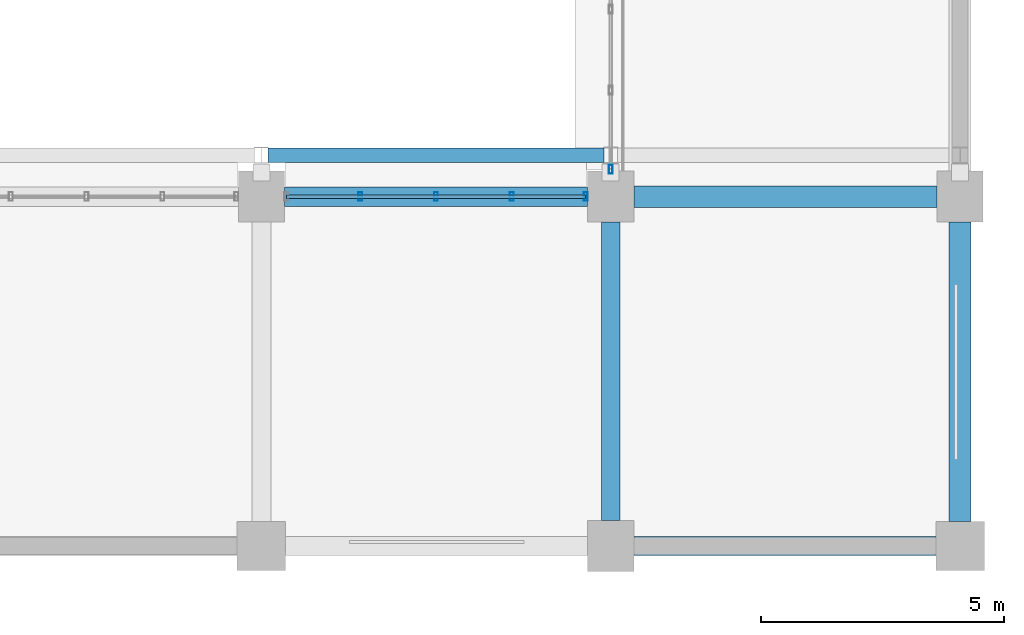
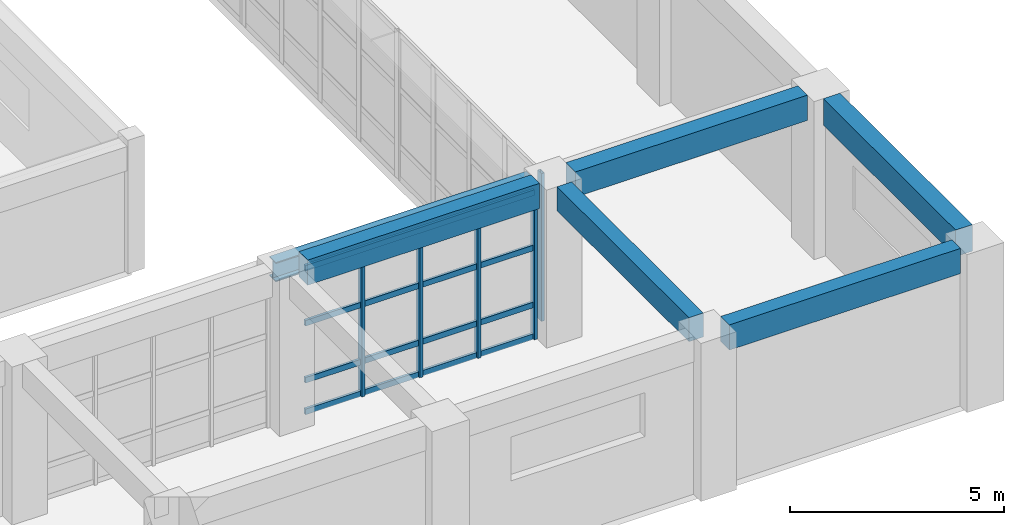
# One storey, part 91 of 171: 9 members, 6 beams, 2 elements without a shape of their own.
"""IFC4 building model written with IfcOpenShell, lengths in metres."""

from ifc_helpers import new_model, si_unit, direction, frame, origin, origin_2d, place, context, subcontext, project, spatial, rectangle, hollow_rectangle, i_section, extrude, material, material_profile, profile_set, type_object, element, aggregate, save


model = new_model("IFC4")

# Units and contexts
model_context = context("Model", 3, precision=1e-05, world=origin(), true_north=direction((0.0, 1.0)))
body_context = subcontext(model_context, "Body", "Model", "MODEL_VIEW")
ifc_project = project(units=[si_unit("LENGTHUNIT", "METRE"), si_unit("AREAUNIT", "SQUARE_METRE"), si_unit("VOLUMEUNIT", "CUBIC_METRE"), si_unit("PLANEANGLEUNIT", "RADIAN"), si_unit("MASSUNIT", "GRAM", prefix="KILO")], contexts=[model_context])

# Site, building, storey
site_placement = place(None, origin())
site = spatial("IfcSite", under=ifc_project, at=site_placement, CompositionType="ELEMENT")
building_placement = place(site_placement, origin())
building = spatial("IfcBuilding", under=site, at=building_placement, Name="Thalmaran Polytechnic", CompositionType="ELEMENT")
storey_placement = place(building_placement, frame((0.0, 0.0, 5.39990234375)))
storey = spatial("IfcBuildingStorey", under=building, at=storey_placement, Name="L01", CompositionType="ELEMENT", Elevation=5.39990234375)

# Beams
ifc_material_1 = material(Name="Steel S355", Category="steel")
ifc_material_profile_1 = material_profile(ifc_material_1, i_section(OverallWidth=0.300048828125, OverallDepth=0.550048828125, WebThickness=0.014892578125, FlangeThickness=0.029052734375, at=origin_2d()), Name="HEB 550")
ifc_profile_set_1 = profile_set([ifc_material_profile_1], Name="Steel S355")
beam_type_1 = type_object("IfcBeamType", Name="BM-CRN1", PredefinedType="BEAM", material=ifc_profile_set_1)
beam_1_placement = place(storey_placement, frame((158.5400390625, 8.050048828125, 3.72509765625), z_axis=(1.0, 0.0, 0.0), x_axis=(0.0, 1.0, 0.0)))
element("IfcBeam", 1, at=beam_1_placement, inside=storey, type_object=beam_type_1, Name="Workshop Crane Runway Beam Y1-22", PredefinedType="BEAM", context=body_context, shape_type="SweptSolid", body=[
    extrude(i_section(OverallWidth=0.300048828125, OverallDepth=0.550048828125, WebThickness=0.014892578125, FlangeThickness=0.029052734375, at=origin_2d()), origin(), (0.0, 0.0, 1.0), 6.919921875),
])
ifc_material_2 = material(Name="Concrete C40/50", Category="concrete")
ifc_material_profile_2 = material_profile(ifc_material_2, rectangle(XDim=0.389892578125, YDim=0.68505859375, at=origin_2d()), Name="RC 390x685")
ifc_profile_set_2 = profile_set([ifc_material_profile_2], Name="Concrete C40/50")
beam_type_2 = type_object("IfcBeamType", Name="BM-RC08", PredefinedType="BEAM", material=ifc_profile_set_2)
beam_2_placement = place(storey_placement, frame((165.60009765625, 0.52490234375, 4.15771484375), z_axis=(0.0, 1.0, 0.0), x_axis=(-1.0, 0.0, 0.0)))
element("IfcBeam", 2, at=beam_2_placement, inside=storey, type_object=beam_type_2, Name="Grid Beam B08 L01 Y(23,0)", PredefinedType="BEAM", context=body_context, shape_type="SweptSolid", body=[
    extrude(rectangle(XDim=0.389892578125, YDim=0.68505859375, at=origin_2d()), origin(), (0.0, 0.0, 1.0), 6.150146484375),
])
ifc_material_profile_3 = material_profile(ifc_material_2, rectangle(XDim=0.39990234375, YDim=0.719970703125, at=origin_2d()), Name="RC 400x720")
ifc_profile_set_3 = profile_set([ifc_material_profile_3], Name="Concrete C40/50")
beam_type_3 = type_object("IfcBeamType", Name="BM-SP01", PredefinedType="SPANDREL", material=ifc_profile_set_3)
beam_3_placement = place(storey_placement, frame((158.875, 7.199951171875, 4.14013671875), z_axis=(1.0, 0.0, 0.0), x_axis=(0.0, 1.0, 0.0)))
element("IfcBeam", 3, at=beam_3_placement, inside=storey, type_object=beam_type_3, Name="Grid Beam SP01 L01 X(22,1)", PredefinedType="SPANDREL", context=body_context, shape_type="SweptSolid", body=[
    extrude(rectangle(XDim=0.39990234375, YDim=0.719970703125, at=origin_2d()), origin(), (0.0, 0.0, 1.0), 6.25),
])
beam_4_placement = place(storey_placement, frame((166.074951171875, 0.0, 4.14013671875), z_axis=(1.0, 0.0, 0.0), x_axis=(0.0, 1.0, 0.0)))
element("IfcBeam", 4, at=beam_4_placement, inside=storey, type_object=beam_type_3, Name="Grid Beam SP01 L01 X(23,0)", PredefinedType="SPANDREL", context=body_context, shape_type="SweptSolid", body=[
    extrude(rectangle(XDim=0.39990234375, YDim=0.719970703125, at=origin_2d()), origin(), (0.0, 0.0, 1.0), 6.22509765625),
])
ifc_material_profile_4 = material_profile(ifc_material_2, rectangle(XDim=0.449951171875, YDim=0.7548828125, at=origin_2d()), Name="RC 450x755")
ifc_profile_set_4 = profile_set([ifc_material_profile_4], Name="Concrete C40/50")
beam_type_4 = type_object("IfcBeamType", Name="BM-SP02", PredefinedType="SPANDREL", material=ifc_profile_set_4)
beam_5_placement = place(storey_placement, frame((172.800048828125, 0.5, 4.12255859375), z_axis=(0.0, 1.0, 0.0), x_axis=(-1.0, 0.0, 0.0)))
element("IfcBeam", 5, at=beam_5_placement, inside=storey, type_object=beam_type_4, Name="Grid Beam SP02 L01 Y(24,0)", PredefinedType="SPANDREL", context=body_context, shape_type="SweptSolid", body=[
    extrude(rectangle(XDim=0.449951171875, YDim=0.7548828125, at=origin_2d()), origin(), (0.0, 0.0, 1.0), 6.175048828125),
])
ifc_material_profile_5 = material_profile(ifc_material_2, rectangle(XDim=0.43994140625, YDim=0.719970703125, at=origin_2d()), Name="RC 440x720")
ifc_profile_set_5 = profile_set([ifc_material_profile_5], Name="Concrete C40/50")
beam_type_5 = type_object("IfcBeamType", Name="BM-ZB03", PredefinedType="BEAM", material=ifc_profile_set_5)
beam_6_placement = place(storey_placement, frame((166.074951171875, 7.199951171875, 4.14013671875), z_axis=(1.0, 0.0, 0.0), x_axis=(0.0, 1.0, 0.0)))
element("IfcBeam", 6, at=beam_6_placement, inside=storey, type_object=beam_type_5, Name="Grid Beam ZB03 L01 X(23,1)", PredefinedType="BEAM", context=body_context, shape_type="SweptSolid", body=[
    extrude(rectangle(XDim=0.43994140625, YDim=0.719970703125, at=origin_2d()), origin(), (0.0, 0.0, 1.0), 6.25),
])

# Curtain wall, members
ifc_material_3 = material(Name="Aluminium 6063-T6", Category="aluminium")
curtain_wall_type = type_object("IfcCurtainWallType", Name="CW-UC02", PredefinedType="USERDEFINED", material=ifc_material_3)
curtain_wall_1_placement = place(storey_placement, origin())
curtain_wall_1 = element("IfcCurtainWall", 7, at=curtain_wall_1_placement, inside=storey, type_object=curtain_wall_type, Name="Curtain Wall CW-L01-117", ObjectType="UNITISED CURTAIN WALL", PredefinedType="USERDEFINED")
ifc_material_profile_6 = material_profile(ifc_material_3, hollow_rectangle(XDim=0.080078125, YDim=0.179931640625, WallThickness=0.0048828125, at=origin_2d()), Name="RHS 180x80x5.0")
ifc_profile_set_6 = profile_set([ifc_material_profile_6], Name="Aluminium 6063-T6")
member_type_1 = type_object("IfcMemberType", Name="CW-MUL1", PredefinedType="MULLION", material=ifc_profile_set_6)
member_1_placement = place(storey_placement, frame((160.4375, 7.199951171875, 0.0), z_axis=(0.0, 0.0, 1.0), x_axis=(1.0, 0.0, 0.0)))
member_1 = element("IfcMember", 8, at=member_1_placement, type_object=member_type_1, Name="CW-L01-117 Mullion 2", PredefinedType="MULLION", context=body_context, shape_type="SweptSolid", body=[
    extrude(hollow_rectangle(XDim=0.080078125, YDim=0.179931640625, WallThickness=0.0048828125, at=origin_2d()), origin(), (0.0, 0.0, 1.0), 4.210205078125),
])
member_2_placement = place(storey_placement, frame((162.0, 7.199951171875, 0.0), z_axis=(0.0, 0.0, 1.0), x_axis=(1.0, 0.0, 0.0)))
member_2 = element("IfcMember", 9, at=member_2_placement, type_object=member_type_1, Name="CW-L01-117 Mullion 3", PredefinedType="MULLION", context=body_context, shape_type="SweptSolid", body=[
    extrude(hollow_rectangle(XDim=0.080078125, YDim=0.179931640625, WallThickness=0.0048828125, at=origin_2d()), origin(), (0.0, 0.0, 1.0), 4.210205078125),
])
member_3_placement = place(storey_placement, frame((163.5625, 7.199951171875, 0.0), z_axis=(0.0, 0.0, 1.0), x_axis=(1.0, 0.0, 0.0)))
member_3 = element("IfcMember", 10, at=member_3_placement, type_object=member_type_1, Name="CW-L01-117 Mullion 4", PredefinedType="MULLION", context=body_context, shape_type="SweptSolid", body=[
    extrude(hollow_rectangle(XDim=0.080078125, YDim=0.179931640625, WallThickness=0.0048828125, at=origin_2d()), origin(), (0.0, 0.0, 1.0), 4.210205078125),
])
member_4_placement = place(storey_placement, frame((165.0849609375, 7.199951171875, 0.0), z_axis=(0.0, 0.0, 1.0), x_axis=(1.0, 0.0, 0.0)))
member_4 = element("IfcMember", 11, at=member_4_placement, type_object=member_type_1, Name="CW-L01-117 Mullion 5", PredefinedType="MULLION", context=body_context, shape_type="SweptSolid", body=[
    extrude(hollow_rectangle(XDim=0.080078125, YDim=0.179931640625, WallThickness=0.0048828125, at=origin_2d()), origin(), (0.0, 0.0, 1.0), 4.210205078125),
])

# Curtain wall, member
curtain_wall_2_placement = place(storey_placement, origin())
curtain_wall_2 = element("IfcCurtainWall", 12, at=curtain_wall_2_placement, inside=storey, type_object=curtain_wall_type, Name="Curtain Wall CW-L01-118", ObjectType="UNITISED CURTAIN WALL", PredefinedType="USERDEFINED")
member_5_placement = place(storey_placement, frame((165.60009765625, 7.764892578125, 0.0), z_axis=(0.0, 0.0, 1.0), x_axis=(1.0, 0.0, 0.0)))
member_5 = element("IfcMember", 13, at=member_5_placement, type_object=member_type_1, Name="CW-L01-118 Mullion 1", PredefinedType="MULLION", context=body_context, shape_type="SweptSolid", body=[
    extrude(hollow_rectangle(XDim=0.080078125, YDim=0.179931640625, WallThickness=0.0048828125, at=origin_2d()), origin(), (0.0, 0.0, 1.0), 4.210205078125),
])
aggregate(curtain_wall_2, [member_5])

# Member
ifc_material_profile_7 = material_profile(ifc_material_3, hollow_rectangle(XDim=0.070068359375, YDim=0.159912109375, WallThickness=0.00390625, at=origin_2d()), Name="AL 160x70x4.0")
ifc_profile_set_7 = profile_set([ifc_material_profile_7], Name="Aluminium 6063-T6")
member_type_2 = type_object("IfcMemberType", Name="CW-TRN1", PredefinedType="USERDEFINED", material=ifc_profile_set_7)
member_6_placement = place(storey_placement, frame((158.9150390625, 7.199951171875, 0.06005859375), z_axis=(1.0, 0.0, 0.0), x_axis=(0.0, 1.0, 0.0)))
member_6 = element("IfcMember", 14, at=member_6_placement, type_object=member_type_2, Name="CW-L01-117 Transom 1", ObjectType="TRANSOM", PredefinedType="USERDEFINED", context=body_context, shape_type="SweptSolid", body=[
    extrude(hollow_rectangle(XDim=0.070068359375, YDim=0.159912109375, WallThickness=0.00390625, at=origin_2d()), origin(), (0.0, 0.0, 1.0), 6.169921875),
])

member_7_placement = place(storey_placement, frame((158.9150390625, 7.199951171875, 0.960205078125), z_axis=(1.0, 0.0, 0.0), x_axis=(0.0, 1.0, 0.0)))
member_7 = element("IfcMember", 15, at=member_7_placement, type_object=member_type_2, Name="CW-L01-117 Transom 2", ObjectType="TRANSOM", PredefinedType="USERDEFINED", context=body_context, shape_type="SweptSolid", body=[
    extrude(hollow_rectangle(XDim=0.070068359375, YDim=0.159912109375, WallThickness=0.00390625, at=origin_2d()), origin(), (0.0, 0.0, 1.0), 6.169921875),
])

member_8_placement = place(storey_placement, frame((158.9150390625, 7.199951171875, 2.585205078125), z_axis=(1.0, 0.0, 0.0), x_axis=(0.0, 1.0, 0.0)))
member_8 = element("IfcMember", 16, at=member_8_placement, type_object=member_type_2, Name="CW-L01-117 Transom 3", ObjectType="TRANSOM", PredefinedType="USERDEFINED", context=body_context, shape_type="SweptSolid", body=[
    extrude(hollow_rectangle(XDim=0.070068359375, YDim=0.159912109375, WallThickness=0.00390625, at=origin_2d()), origin(), (0.0, 0.0, 1.0), 6.169921875),
])

member_9_placement = place(storey_placement, frame((158.9150390625, 7.199951171875, 4.150146484375), z_axis=(1.0, 0.0, 0.0), x_axis=(0.0, 1.0, 0.0)))
member_9 = element("IfcMember", 17, at=member_9_placement, type_object=member_type_2, Name="CW-L01-117 Transom 4", ObjectType="TRANSOM", PredefinedType="USERDEFINED", context=body_context, shape_type="SweptSolid", body=[
    extrude(hollow_rectangle(XDim=0.070068359375, YDim=0.159912109375, WallThickness=0.00390625, at=origin_2d()), origin(), (0.0, 0.0, 1.0), 6.169921875),
])

aggregate(curtain_wall_1, [member_1, member_2, member_3, member_4, member_6, member_7, member_8, member_9])

save(model, "model.ifc")
